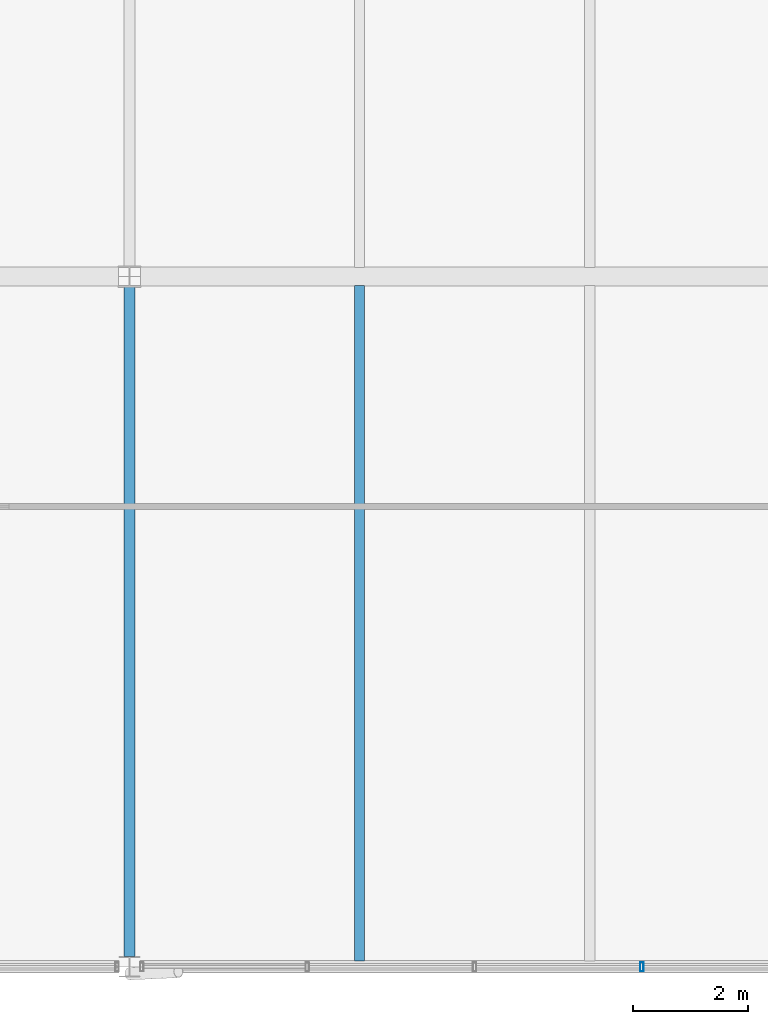
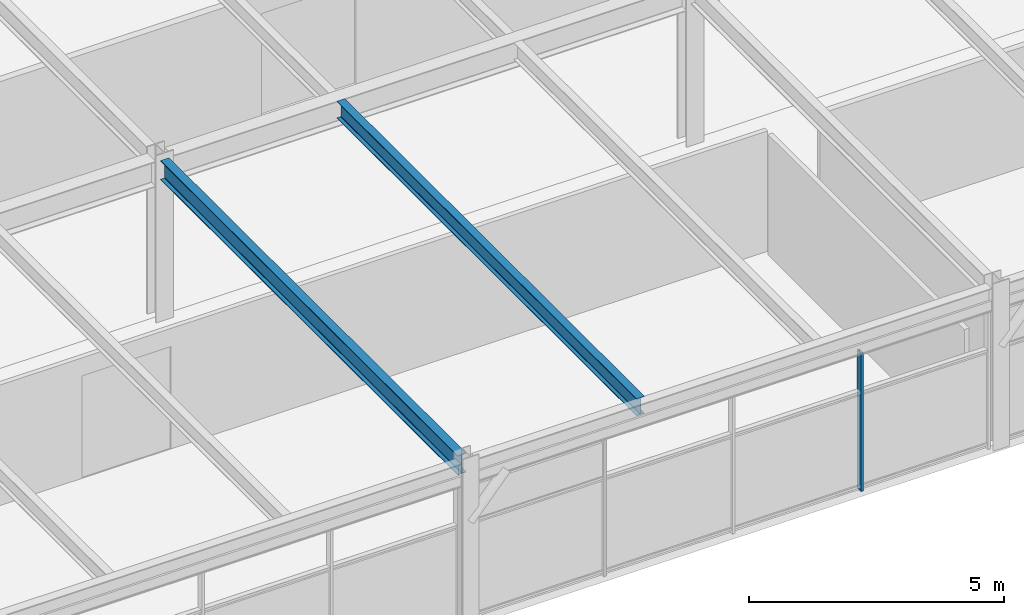
# One storey, part 17 of 40: 2 beams, 1 member, 1 element without a shape of its own.
"""IFC4 building model written with IfcOpenShell, lengths in metres."""

from ifc_helpers import new_model, si_unit, direction, frame, origin, origin_2d, place, context, subcontext, project, spatial, hollow_rectangle, i_section, extrude, material, material_profile, profile_set, type_object, element, aggregate, save


model = new_model("IFC4")

# Units and contexts
model_context = context("Model", 3, precision=1e-05, world=origin(), true_north=direction((0.0, 1.0)))
body_context = subcontext(model_context, "Body", "Model", "MODEL_VIEW")
ifc_project = project(units=[si_unit("LENGTHUNIT", "METRE"), si_unit("AREAUNIT", "SQUARE_METRE"), si_unit("VOLUMEUNIT", "CUBIC_METRE"), si_unit("PLANEANGLEUNIT", "RADIAN"), si_unit("MASSUNIT", "GRAM", prefix="KILO")], contexts=[model_context])

# Site, building, storey
site_placement = place(None, origin())
site = spatial("IfcSite", under=ifc_project, at=site_placement, CompositionType="ELEMENT")
building_placement = place(site_placement, origin())
building = spatial("IfcBuilding", under=site, at=building_placement, Name="Girod Span Mobility Hub", CompositionType="ELEMENT")
storey_placement = place(building_placement, frame((0.0, 0.0, 57.60009765625)))
storey = spatial("IfcBuildingStorey", under=building, at=storey_placement, Name="L14", CompositionType="ELEMENT", Elevation=57.60009765625)

# Beams
ifc_material_1 = material(Name="Steel A992 Grade 50", Category="steel")
ifc_material_profile_1 = material_profile(ifc_material_1, i_section(OverallWidth=0.178955078125, OverallDepth=0.409912109375, WebThickness=0.0087890625, FlangeThickness=0.014404296875, FilletRadius=0.012939453125, at=origin_2d()), Name="W16X45")
ifc_profile_set_1 = profile_set([ifc_material_profile_1], Name="Steel A992 Grade 50")
beam_type_1 = type_object("IfcBeamType", Name="BM-STL-W16X45", PredefinedType="BEAM", material=ifc_profile_set_1)
beam_1_placement = place(storey_placement, frame((88.0, 45.10302734375, 3.64501953125), z_axis=(0.0, 1.0, 0.0), x_axis=(-1.0, 0.0, 0.0)))
element("IfcBeam", 1, at=beam_1_placement, inside=storey, type_object=beam_type_1, Name="Composite Floorbeam 8/D-1 L14", PredefinedType="BEAM", context=body_context, shape_type="SweptSolid", body=[
    extrude(i_section(OverallWidth=0.178955078125, OverallDepth=0.409912109375, WebThickness=0.0087890625, FlangeThickness=0.014404296875, FilletRadius=0.012939453125, at=origin_2d()), origin(), (0.0, 0.0, 1.0), 11.738037109375),
])
ifc_material_2 = material(Name="Steel A992 Grade 50", Category="steel")
ifc_material_profile_2 = material_profile(ifc_material_2, i_section(OverallWidth=0.19189453125, OverallDepth=0.462890625, WebThickness=0.010498046875, FlangeThickness=0.017578125, FilletRadius=0.013916015625, at=origin_2d()), Name="W18X60")
ifc_profile_set_2 = profile_set([ifc_material_profile_2], Name="Steel A992 Grade 50")
beam_type_2 = type_object("IfcBeamType", Name="BM-STL-W18X60", PredefinedType="BEAM", material=ifc_profile_set_2)
beam_2_placement = place(storey_placement, frame((84.0, 45.175048828125, 3.618408203125), z_axis=(0.0, 1.0, 0.0), x_axis=(-1.0, 0.0, 0.0)))
element("IfcBeam", 2, at=beam_2_placement, inside=storey, type_object=beam_type_2, Name="Tie Girder 8/D-E L14", PredefinedType="BEAM", context=body_context, shape_type="SweptSolid", body=[
    extrude(i_section(OverallWidth=0.19189453125, OverallDepth=0.462890625, WebThickness=0.010498046875, FlangeThickness=0.017578125, FilletRadius=0.013916015625, at=origin_2d()), origin(), (0.0, 0.0, 1.0), 11.640380859375),
])

# Curtain wall, member
ifc_material_3 = material(Name="Thermally Broken Anodised Aluminium", Category="aluminium")
curtain_wall_type = type_object("IfcCurtainWallType", Name="CW-1164X331", PredefinedType="USERDEFINED", material=ifc_material_3)
curtain_wall_placement = place(storey_placement, origin())
curtain_wall = element("IfcCurtainWall", 3, at=curtain_wall_placement, inside=storey, type_object=curtain_wall_type, Name="Unitised Curtain Wall CW-L14-S08 L14", ObjectType="UNITISED CURTAIN WALL", PredefinedType="USERDEFINED")
ifc_material_4 = material(Name="Thermally Broken Anodised Aluminium", Category="aluminium")
ifc_material_profile_3 = material_profile(ifc_material_4, hollow_rectangle(XDim=0.159912109375, YDim=0.06005859375, WallThickness=0.00341796875, InnerFilletRadius=0.00341796875, OuterFilletRadius=0.007080078125, at=origin_2d()), Name="CW-ML-60X160")
ifc_profile_set_3 = profile_set([ifc_material_profile_3], Name="Thermally Broken Anodised Aluminium")
member_type = type_object("IfcMemberType", Name="CWM-ML-3", PredefinedType="MULLION", material=ifc_profile_set_3)
member_placement = place(storey_placement, frame((92.90869140625, 45.0, 0.0), z_axis=(0.0, 0.0, 1.0), x_axis=(0.0, 1.0, 0.0)))
member = element("IfcMember", 4, at=member_placement, type_object=member_type, Name="Curtain Wall Mullion CW-L14-S08-M3", PredefinedType="MULLION", context=body_context, shape_type="SweptSolid", body=[
    extrude(hollow_rectangle(XDim=0.159912109375, YDim=0.06005859375, WallThickness=0.00341796875, InnerFilletRadius=0.00341796875, OuterFilletRadius=0.007080078125, at=origin_2d()), origin(), (0.0, 0.0, 1.0), 3.305908203125),
])
aggregate(curtain_wall, [member])

save(model, "model.ifc")
